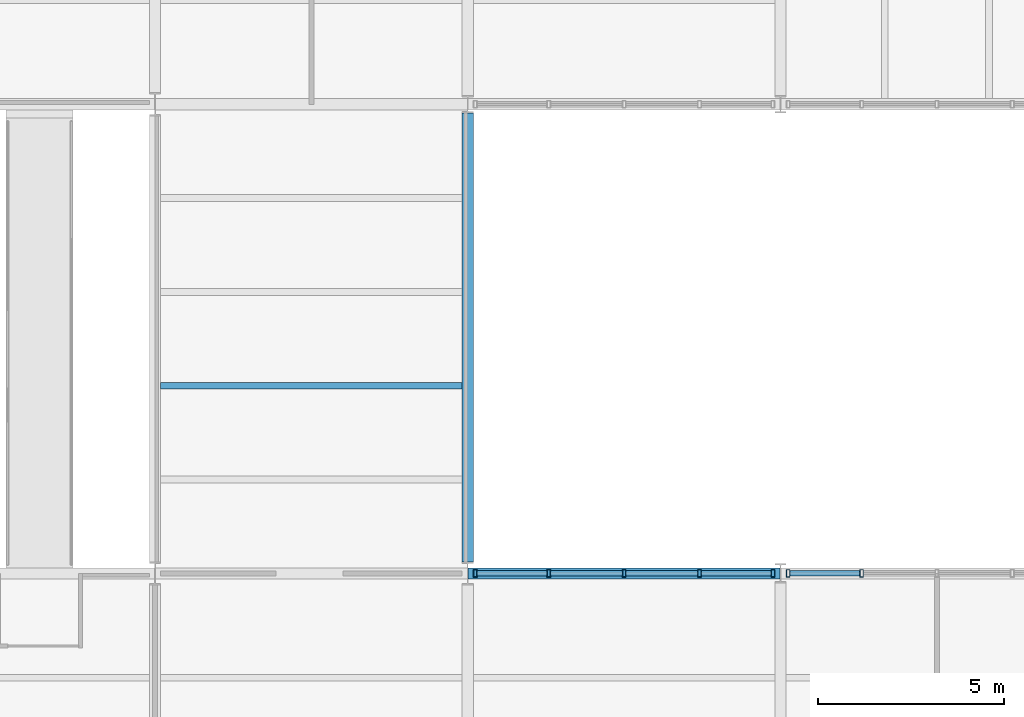
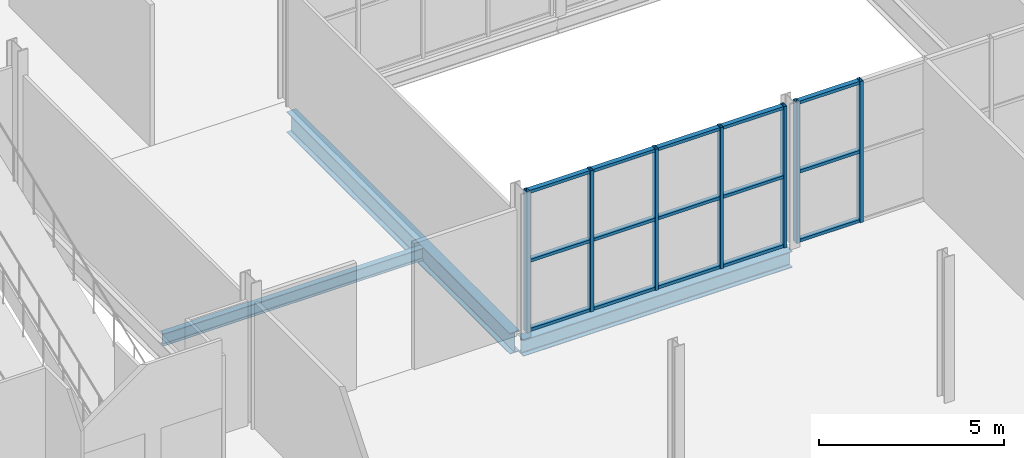
# One storey, part 18 of 57: 22 members, 3 beams, 2 elements without a shape of their own.
"""IFC4 building model written with IfcOpenShell, lengths in metres."""

from ifc_helpers import new_model, si_unit, direction, frame, origin, origin_2d, place, context, subcontext, project, spatial, hollow_rectangle, i_section, extrude, material, layer, layer_set, material_profile, profile_set, type_object, element, aggregate, save


model = new_model("IFC4")

# Units and contexts
model_context = context("Model", 3, precision=1e-05, world=origin(), true_north=direction((0.0, 1.0)))
body_context = subcontext(model_context, "Body", "Model", "MODEL_VIEW")
ifc_project = project(units=[si_unit("LENGTHUNIT", "METRE"), si_unit("AREAUNIT", "SQUARE_METRE"), si_unit("VOLUMEUNIT", "CUBIC_METRE"), si_unit("PLANEANGLEUNIT", "RADIAN"), si_unit("MASSUNIT", "GRAM", prefix="KILO")], contexts=[model_context])

# Site, building, storey
site_placement = place(None, origin())
site = spatial("IfcSite", under=ifc_project, at=site_placement, CompositionType="ELEMENT")
building_placement = place(site_placement, origin())
building = spatial("IfcBuilding", under=site, at=building_placement, Name="Galleria Vessillo Department Store", CompositionType="ELEMENT")
storey_placement = place(building_placement, frame((0.0, 0.0, 21.0)))
storey = spatial("IfcBuildingStorey", under=building, at=storey_placement, Name="L04", CompositionType="ELEMENT", Elevation=21.0)

# Beams
ifc_material_1 = material(Name="Steel S355 J2", Category="steel")
ifc_material_profile_1 = material_profile(ifc_material_1, i_section(OverallWidth=0.300048828125, OverallDepth=0.68994140625, WebThickness=0.014404296875, FlangeThickness=0.027099609375, FilletRadius=0.027099609375, at=origin_2d()), Name="HEA 700")
ifc_profile_set_1 = profile_set([ifc_material_profile_1], Name="Steel S355 J2")
beam_type_1 = type_object("IfcBeamType", Name="Bridge girder HEA 700", PredefinedType="BEAM", material=ifc_profile_set_1)
beam_1_placement = place(storey_placement, frame((84.0, 25.51025390625, -0.494873046875), z_axis=(0.0, 1.0, 0.0), x_axis=(-1.0, 0.0, 0.0)))
element("IfcBeam", 1, at=beam_1_placement, inside=storey, type_object=beam_type_1, Name="S-BM-L04-BR-y84000-25510", PredefinedType="BEAM", context=body_context, shape_type="SweptSolid", body=[
    extrude(i_section(OverallWidth=0.300048828125, OverallDepth=0.68994140625, WebThickness=0.014404296875, FlangeThickness=0.027099609375, FilletRadius=0.027099609375, at=origin_2d()), origin(), (0.0, 0.0, 1.0), 12.050537109375),
])
ifc_material_2 = material(Name="Steel S355 J2", Category="steel")
ifc_material_profile_2 = material_profile(ifc_material_2, i_section(OverallWidth=0.179931640625, OverallDepth=0.39990234375, WebThickness=0.008544921875, FlangeThickness=0.013427734375, FilletRadius=0.02099609375, at=origin_2d()), Name="IPE 400")
ifc_profile_set_2 = profile_set([ifc_material_profile_2], Name="Steel S355 J2")
beam_type_2 = type_object("IfcBeamType", Name="Floor joist IPE 400", PredefinedType="JOIST", material=ifc_profile_set_2)
beam_2_placement = place(storey_placement, frame((75.750244140625, 30.239990234375, -0.349853515625), z_axis=(1.0, 0.0, 0.0), x_axis=(0.0, 1.0, 0.0)))
element("IfcBeam", 2, at=beam_2_placement, inside=storey, type_object=beam_type_2, Name="S-BM-L04-JO-x30240-75750", PredefinedType="JOIST", context=body_context, shape_type="SweptSolid", body=[
    extrude(i_section(OverallWidth=0.179931640625, OverallDepth=0.39990234375, WebThickness=0.008544921875, FlangeThickness=0.013427734375, FilletRadius=0.02099609375, at=origin_2d()), origin(), (0.0, 0.0, 1.0), 8.099609375),
])

# Curtain wall, members
ifc_material_3 = material(Name="Steel and fire-resisting glass curtain wall", Category="steel")
ifc_layer = layer(ifc_material_3, 0.199951171875)
ifc_layer_set = layer_set([ifc_layer], Name="Steel and fire-resisting glass curtain wall")
curtain_wall_type = type_object("IfcCurtainWallType", Name="Arcade fire-resisting glazed shopfront EI 120-Sa", PredefinedType="NOTDEFINED", material=ifc_layer_set)
curtain_wall_1_placement = place(storey_placement, origin())
curtain_wall_1 = element("IfcCurtainWall", 3, at=curtain_wall_1_placement, inside=storey, type_object=curtain_wall_type, Name="Arcade fire-resisting glazed shopfront EI 120-Sa AI-AE-S-L04-01", PredefinedType="NOTDEFINED")
ifc_material_4 = material(Name="Steel S355 J2", Category="steel")
ifc_material_profile_3 = material_profile(ifc_material_4, hollow_rectangle(XDim=0.199951171875, YDim=0.10009765625, WallThickness=0.008056640625, at=origin_2d()), Name="RHS 200x100x8")
ifc_profile_set_3 = profile_set([ifc_material_profile_3], Name="Steel S355 J2")
member_type_1 = type_object("IfcMemberType", Name="Steel mullion RHS 200x100x8", PredefinedType="MULLION", material=ifc_profile_set_3)
member_1_placement = place(storey_placement, frame((84.20263671875, 25.199951171875, 0.0), z_axis=(0.0, 0.0, 1.0), x_axis=(0.0, 1.0, 0.0)))
member_1 = element("IfcMember", 4, at=member_1_placement, type_object=member_type_1, Name="CW7 mullion 1", PredefinedType="MULLION", context=body_context, shape_type="SweptSolid", body=[
    extrude(hollow_rectangle(XDim=0.199951171875, YDim=0.10009765625, WallThickness=0.008056640625, at=origin_2d()), origin(), (0.0, 0.0, 1.0), 4.650146484375),
])
member_2_placement = place(storey_placement, frame((86.17626953125, 25.199951171875, 0.0), z_axis=(0.0, 0.0, 1.0), x_axis=(0.0, 1.0, 0.0)))
member_2 = element("IfcMember", 5, at=member_2_placement, type_object=member_type_1, Name="CW7 mullion 2", PredefinedType="MULLION", context=body_context, shape_type="SweptSolid", body=[
    extrude(hollow_rectangle(XDim=0.199951171875, YDim=0.10009765625, WallThickness=0.008056640625, at=origin_2d()), origin(), (0.0, 0.0, 1.0), 4.650146484375),
])
member_3_placement = place(storey_placement, frame((88.19970703125, 25.199951171875, 0.0), z_axis=(0.0, 0.0, 1.0), x_axis=(0.0, 1.0, 0.0)))
member_3 = element("IfcMember", 6, at=member_3_placement, type_object=member_type_1, Name="CW7 mullion 3", PredefinedType="MULLION", context=body_context, shape_type="SweptSolid", body=[
    extrude(hollow_rectangle(XDim=0.199951171875, YDim=0.10009765625, WallThickness=0.008056640625, at=origin_2d()), origin(), (0.0, 0.0, 1.0), 4.650146484375),
])
member_4_placement = place(storey_placement, frame((90.223388671875, 25.199951171875, 0.0), z_axis=(0.0, 0.0, 1.0), x_axis=(0.0, 1.0, 0.0)))
member_4 = element("IfcMember", 7, at=member_4_placement, type_object=member_type_1, Name="CW7 mullion 4", PredefinedType="MULLION", context=body_context, shape_type="SweptSolid", body=[
    extrude(hollow_rectangle(XDim=0.199951171875, YDim=0.10009765625, WallThickness=0.008056640625, at=origin_2d()), origin(), (0.0, 0.0, 1.0), 4.650146484375),
])
member_5_placement = place(storey_placement, frame((92.19677734375, 25.199951171875, 0.0), z_axis=(0.0, 0.0, 1.0), x_axis=(0.0, 1.0, 0.0)))
member_5 = element("IfcMember", 8, at=member_5_placement, type_object=member_type_1, Name="CW7 mullion 5", PredefinedType="MULLION", context=body_context, shape_type="SweptSolid", body=[
    extrude(hollow_rectangle(XDim=0.199951171875, YDim=0.10009765625, WallThickness=0.008056640625, at=origin_2d()), origin(), (0.0, 0.0, 1.0), 4.650146484375),
])

curtain_wall_2_placement = place(storey_placement, origin())
curtain_wall_2 = element("IfcCurtainWall", 9, at=curtain_wall_2_placement, inside=storey, type_object=curtain_wall_type, Name="Arcade fire-resisting glazed shopfront EI 120-Sa AI-AE-S-L04-02", PredefinedType="NOTDEFINED")
member_6_placement = place(storey_placement, frame((92.60302734375, 25.199951171875, 0.0), z_axis=(0.0, 0.0, 1.0), x_axis=(0.0, 1.0, 0.0)))
member_6 = element("IfcMember", 10, at=member_6_placement, type_object=member_type_1, Name="CW7 mullion 1", PredefinedType="MULLION", context=body_context, shape_type="SweptSolid", body=[
    extrude(hollow_rectangle(XDim=0.199951171875, YDim=0.10009765625, WallThickness=0.008056640625, at=origin_2d()), origin(), (0.0, 0.0, 1.0), 4.650146484375),
])
member_7_placement = place(storey_placement, frame((94.57666015625, 25.199951171875, 0.0), z_axis=(0.0, 0.0, 1.0), x_axis=(0.0, 1.0, 0.0)))
member_7 = element("IfcMember", 11, at=member_7_placement, type_object=member_type_1, Name="CW7 mullion 2", PredefinedType="MULLION", context=body_context, shape_type="SweptSolid", body=[
    extrude(hollow_rectangle(XDim=0.199951171875, YDim=0.10009765625, WallThickness=0.008056640625, at=origin_2d()), origin(), (0.0, 0.0, 1.0), 4.650146484375),
])

# Member
ifc_material_5 = material(Name="Steel S355 J2", Category="steel")
ifc_material_profile_4 = material_profile(ifc_material_5, hollow_rectangle(XDim=0.14990234375, YDim=0.10009765625, WallThickness=0.008056640625, at=origin_2d()), Name="RHS 150x100x8")
ifc_profile_set_4 = profile_set([ifc_material_profile_4], Name="Steel S355 J2")
member_type_2 = type_object("IfcMemberType", Name="Steel transom RHS 150x100x8", PredefinedType="USERDEFINED", material=ifc_profile_set_4)
member_8_placement = place(storey_placement, frame((84.252685546875, 25.199951171875, 0.050048828125), z_axis=(1.0, 0.0, 0.0), x_axis=(0.0, 1.0, 0.0)))
member_8 = element("IfcMember", 12, at=member_8_placement, type_object=member_type_2, Name="CW7 transom 1.1", ObjectType="TRANSOM", PredefinedType="USERDEFINED", context=body_context, shape_type="SweptSolid", body=[
    extrude(hollow_rectangle(XDim=0.14990234375, YDim=0.10009765625, WallThickness=0.008056640625, at=origin_2d()), origin(), (0.0, 0.0, 1.0), 1.87353515625),
])

member_9_placement = place(storey_placement, frame((84.252685546875, 25.199951171875, 2.3251953125), z_axis=(1.0, 0.0, 0.0), x_axis=(0.0, 1.0, 0.0)))
member_9 = element("IfcMember", 13, at=member_9_placement, type_object=member_type_2, Name="CW7 transom 1.2", ObjectType="TRANSOM", PredefinedType="USERDEFINED", context=body_context, shape_type="SweptSolid", body=[
    extrude(hollow_rectangle(XDim=0.14990234375, YDim=0.10009765625, WallThickness=0.008056640625, at=origin_2d()), origin(), (0.0, 0.0, 1.0), 1.87353515625),
])

member_10_placement = place(storey_placement, frame((84.252685546875, 25.199951171875, 4.60009765625), z_axis=(1.0, 0.0, 0.0), x_axis=(0.0, 1.0, 0.0)))
member_10 = element("IfcMember", 14, at=member_10_placement, type_object=member_type_2, Name="CW7 transom 1.3", ObjectType="TRANSOM", PredefinedType="USERDEFINED", context=body_context, shape_type="SweptSolid", body=[
    extrude(hollow_rectangle(XDim=0.14990234375, YDim=0.10009765625, WallThickness=0.008056640625, at=origin_2d()), origin(), (0.0, 0.0, 1.0), 1.87353515625),
])

member_11_placement = place(storey_placement, frame((86.22607421875, 25.199951171875, 0.050048828125), z_axis=(1.0, 0.0, 0.0), x_axis=(0.0, 1.0, 0.0)))
member_11 = element("IfcMember", 15, at=member_11_placement, type_object=member_type_2, Name="CW7 transom 2.1", ObjectType="TRANSOM", PredefinedType="USERDEFINED", context=body_context, shape_type="SweptSolid", body=[
    extrude(hollow_rectangle(XDim=0.14990234375, YDim=0.10009765625, WallThickness=0.008056640625, at=origin_2d()), origin(), (0.0, 0.0, 1.0), 1.923583984375),
])

member_12_placement = place(storey_placement, frame((86.22607421875, 25.199951171875, 2.3251953125), z_axis=(1.0, 0.0, 0.0), x_axis=(0.0, 1.0, 0.0)))
member_12 = element("IfcMember", 16, at=member_12_placement, type_object=member_type_2, Name="CW7 transom 2.2", ObjectType="TRANSOM", PredefinedType="USERDEFINED", context=body_context, shape_type="SweptSolid", body=[
    extrude(hollow_rectangle(XDim=0.14990234375, YDim=0.10009765625, WallThickness=0.008056640625, at=origin_2d()), origin(), (0.0, 0.0, 1.0), 1.923583984375),
])

member_13_placement = place(storey_placement, frame((86.22607421875, 25.199951171875, 4.60009765625), z_axis=(1.0, 0.0, 0.0), x_axis=(0.0, 1.0, 0.0)))
member_13 = element("IfcMember", 17, at=member_13_placement, type_object=member_type_2, Name="CW7 transom 2.3", ObjectType="TRANSOM", PredefinedType="USERDEFINED", context=body_context, shape_type="SweptSolid", body=[
    extrude(hollow_rectangle(XDim=0.14990234375, YDim=0.10009765625, WallThickness=0.008056640625, at=origin_2d()), origin(), (0.0, 0.0, 1.0), 1.923583984375),
])

member_14_placement = place(storey_placement, frame((88.249755859375, 25.199951171875, 0.050048828125), z_axis=(1.0, 0.0, 0.0), x_axis=(0.0, 1.0, 0.0)))
member_14 = element("IfcMember", 18, at=member_14_placement, type_object=member_type_2, Name="CW7 transom 3.1", ObjectType="TRANSOM", PredefinedType="USERDEFINED", context=body_context, shape_type="SweptSolid", body=[
    extrude(hollow_rectangle(XDim=0.14990234375, YDim=0.10009765625, WallThickness=0.008056640625, at=origin_2d()), origin(), (0.0, 0.0, 1.0), 1.923583984375),
])

member_15_placement = place(storey_placement, frame((88.249755859375, 25.199951171875, 2.3251953125), z_axis=(1.0, 0.0, 0.0), x_axis=(0.0, 1.0, 0.0)))
member_15 = element("IfcMember", 19, at=member_15_placement, type_object=member_type_2, Name="CW7 transom 3.2", ObjectType="TRANSOM", PredefinedType="USERDEFINED", context=body_context, shape_type="SweptSolid", body=[
    extrude(hollow_rectangle(XDim=0.14990234375, YDim=0.10009765625, WallThickness=0.008056640625, at=origin_2d()), origin(), (0.0, 0.0, 1.0), 1.923583984375),
])

member_16_placement = place(storey_placement, frame((88.249755859375, 25.199951171875, 4.60009765625), z_axis=(1.0, 0.0, 0.0), x_axis=(0.0, 1.0, 0.0)))
member_16 = element("IfcMember", 20, at=member_16_placement, type_object=member_type_2, Name="CW7 transom 3.3", ObjectType="TRANSOM", PredefinedType="USERDEFINED", context=body_context, shape_type="SweptSolid", body=[
    extrude(hollow_rectangle(XDim=0.14990234375, YDim=0.10009765625, WallThickness=0.008056640625, at=origin_2d()), origin(), (0.0, 0.0, 1.0), 1.923583984375),
])

member_17_placement = place(storey_placement, frame((90.273193359375, 25.199951171875, 0.050048828125), z_axis=(1.0, 0.0, 0.0), x_axis=(0.0, 1.0, 0.0)))
member_17 = element("IfcMember", 21, at=member_17_placement, type_object=member_type_2, Name="CW7 transom 4.1", ObjectType="TRANSOM", PredefinedType="USERDEFINED", context=body_context, shape_type="SweptSolid", body=[
    extrude(hollow_rectangle(XDim=0.14990234375, YDim=0.10009765625, WallThickness=0.008056640625, at=origin_2d()), origin(), (0.0, 0.0, 1.0), 1.87353515625),
])

member_18_placement = place(storey_placement, frame((90.273193359375, 25.199951171875, 2.3251953125), z_axis=(1.0, 0.0, 0.0), x_axis=(0.0, 1.0, 0.0)))
member_18 = element("IfcMember", 22, at=member_18_placement, type_object=member_type_2, Name="CW7 transom 4.2", ObjectType="TRANSOM", PredefinedType="USERDEFINED", context=body_context, shape_type="SweptSolid", body=[
    extrude(hollow_rectangle(XDim=0.14990234375, YDim=0.10009765625, WallThickness=0.008056640625, at=origin_2d()), origin(), (0.0, 0.0, 1.0), 1.87353515625),
])

member_19_placement = place(storey_placement, frame((90.273193359375, 25.199951171875, 4.60009765625), z_axis=(1.0, 0.0, 0.0), x_axis=(0.0, 1.0, 0.0)))
member_19 = element("IfcMember", 23, at=member_19_placement, type_object=member_type_2, Name="CW7 transom 4.3", ObjectType="TRANSOM", PredefinedType="USERDEFINED", context=body_context, shape_type="SweptSolid", body=[
    extrude(hollow_rectangle(XDim=0.14990234375, YDim=0.10009765625, WallThickness=0.008056640625, at=origin_2d()), origin(), (0.0, 0.0, 1.0), 1.87353515625),
])

aggregate(curtain_wall_1, [member_1, member_2, member_3, member_4, member_5, member_8, member_9, member_10, member_11, member_12, member_13, member_14, member_15, member_16, member_17, member_18, member_19])

member_20_placement = place(storey_placement, frame((92.653076171875, 25.199951171875, 0.050048828125), z_axis=(1.0, 0.0, 0.0), x_axis=(0.0, 1.0, 0.0)))
member_20 = element("IfcMember", 24, at=member_20_placement, type_object=member_type_2, Name="CW7 transom 1.1", ObjectType="TRANSOM", PredefinedType="USERDEFINED", context=body_context, shape_type="SweptSolid", body=[
    extrude(hollow_rectangle(XDim=0.14990234375, YDim=0.10009765625, WallThickness=0.008056640625, at=origin_2d()), origin(), (0.0, 0.0, 1.0), 1.87353515625),
])

member_21_placement = place(storey_placement, frame((92.653076171875, 25.199951171875, 2.3251953125), z_axis=(1.0, 0.0, 0.0), x_axis=(0.0, 1.0, 0.0)))
member_21 = element("IfcMember", 25, at=member_21_placement, type_object=member_type_2, Name="CW7 transom 1.2", ObjectType="TRANSOM", PredefinedType="USERDEFINED", context=body_context, shape_type="SweptSolid", body=[
    extrude(hollow_rectangle(XDim=0.14990234375, YDim=0.10009765625, WallThickness=0.008056640625, at=origin_2d()), origin(), (0.0, 0.0, 1.0), 1.87353515625),
])

member_22_placement = place(storey_placement, frame((92.653076171875, 25.199951171875, 4.60009765625), z_axis=(1.0, 0.0, 0.0), x_axis=(0.0, 1.0, 0.0)))
member_22 = element("IfcMember", 26, at=member_22_placement, type_object=member_type_2, Name="CW7 transom 1.3", ObjectType="TRANSOM", PredefinedType="USERDEFINED", context=body_context, shape_type="SweptSolid", body=[
    extrude(hollow_rectangle(XDim=0.14990234375, YDim=0.10009765625, WallThickness=0.008056640625, at=origin_2d()), origin(), (0.0, 0.0, 1.0), 1.87353515625),
])

aggregate(curtain_wall_2, [member_6, member_7, member_20, member_21, member_22])

# Beam
ifc_material_6 = material(Name="Steel S355 J2", Category="steel")
ifc_material_profile_5 = material_profile(ifc_material_6, i_section(OverallWidth=0.300048828125, OverallDepth=0.5400390625, WebThickness=0.012451171875, FlangeThickness=0.02392578125, FilletRadius=0.027099609375, at=origin_2d()), Name="HEA 550")
ifc_profile_set_5 = profile_set([ifc_material_profile_5], Name="Steel S355 J2")
beam_type_3 = type_object("IfcBeamType", Name="Trimmer beam HEA 550", PredefinedType="BEAM", material=ifc_profile_set_5)
beam_3_placement = place(storey_placement, frame((84.0107421875, 25.199951171875, -0.419921875), z_axis=(1.0, 0.0, 0.0), x_axis=(0.0, 1.0, 0.0)))
element("IfcBeam", 27, at=beam_3_placement, inside=storey, type_object=beam_type_3, Name="S-BM-L04-TR-x25200-84011", PredefinedType="BEAM", context=body_context, shape_type="SweptSolid", body=[
    extrude(i_section(OverallWidth=0.300048828125, OverallDepth=0.5400390625, WebThickness=0.012451171875, FlangeThickness=0.02392578125, FilletRadius=0.027099609375, at=origin_2d()), origin(), (0.0, 0.0, 1.0), 8.378662109375),
])

save(model, "model.ifc")
